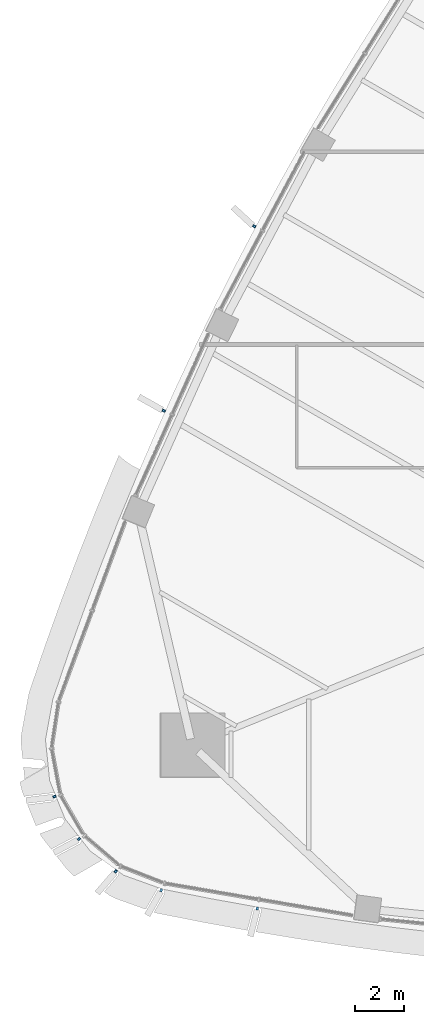
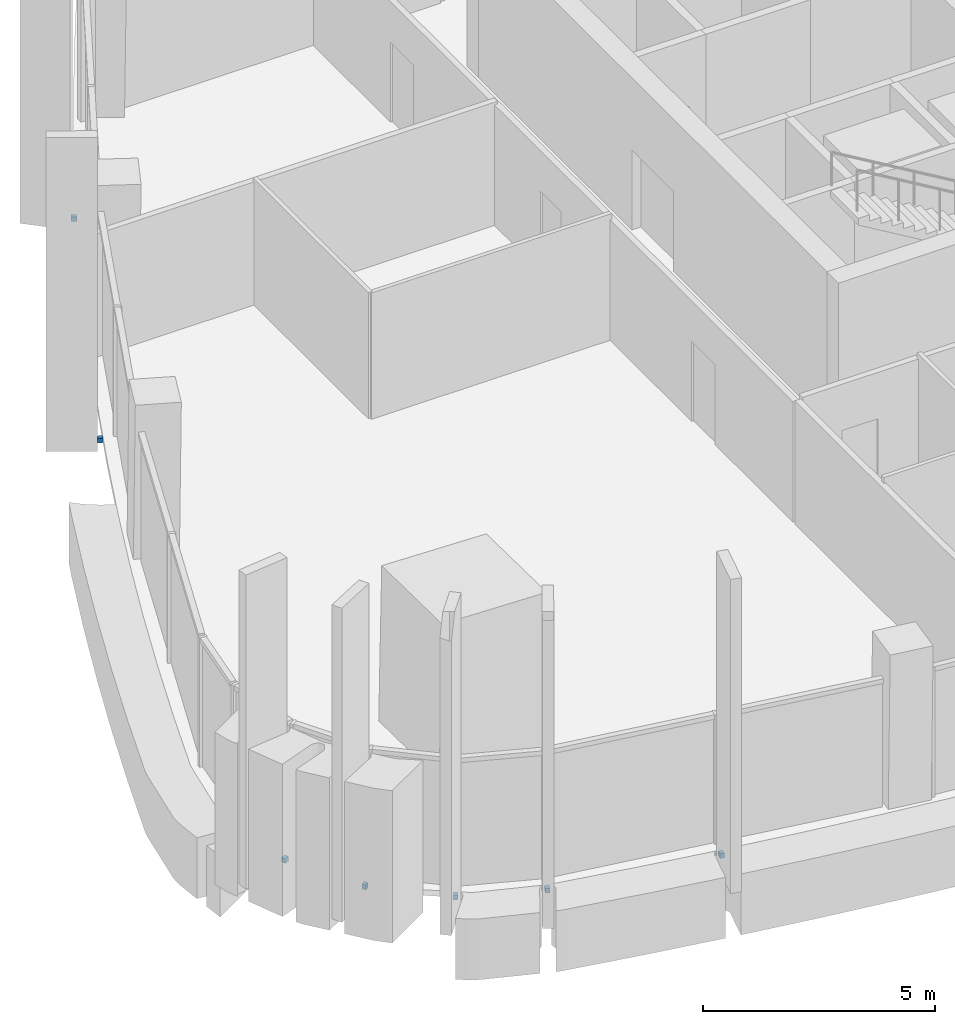
# One storey, part 13 of 19: 7 discrete accessories.
"""IFC4 building model written with IfcOpenShell, lengths in metres."""

from ifc_helpers import new_model, si_unit, direction, frame, origin, origin_2d, place, context, subcontext, project, spatial, rectangle, extrude, material, type_object, element, save


model = new_model("IFC4")

# Units and contexts
model_context = context("Model", 3, precision=1e-05, world=origin(), true_north=direction((0.0, 1.0)))
body_context = subcontext(model_context, "Body", "Model", "MODEL_VIEW")
ifc_project = project(units=[si_unit("LENGTHUNIT", "METRE"), si_unit("AREAUNIT", "SQUARE_METRE"), si_unit("VOLUMEUNIT", "CUBIC_METRE"), si_unit("PLANEANGLEUNIT", "RADIAN"), si_unit("MASSUNIT", "GRAM", prefix="KILO")], contexts=[model_context])

# Site, building, storey
site_placement = place(None, origin())
site = spatial("IfcSite", under=ifc_project, at=site_placement, CompositionType="ELEMENT")
building_placement = place(site_placement, origin())
building = spatial("IfcBuilding", under=site, at=building_placement, Name="Sierra Prisma Convention Tower", CompositionType="ELEMENT")
storey_placement = place(building_placement, frame((0.0, 0.0, 177.800048828125)))
storey = spatial("IfcBuildingStorey", under=building, at=storey_placement, Name="L39", CompositionType="ELEMENT", Elevation=177.800048828125)

# Discrete accessories
ifc_material = material(Name="Stainless steel 316", Category="steel")
discrete_accessory_type = type_object("IfcDiscreteAccessoryType", Name="Fin bracket", PredefinedType="BRACKET", material=ifc_material)
for number, where, z_axis, x_axis, name in (
    (1, (-24.88427734375, -19.51171875, -0.135009765625), (0.0, 0.0, 1.0), (-0.336685163062, -0.941617279458, 0.0), "Fin bracket L39.1 base"),
    (2, (-20.990478515625, -20.253173828125, -0.135009765625), (0.0, 0.0, 1.0), (-0.162935954237, -0.986636647818, 0.0), "Fin bracket L39.2 base"),
    (3, (-21.116455078125, 7.383544921875, -0.135009765625), (0.0, 0.0, 1.0), (-0.884847029451, 0.465881674324, 0.0), "Fin bracket L39.55 base"),
    (4, (-24.779052734375, -0.0849609375, -0.135009765625), (0.0, 0.0, 1.0), (-0.912156076063, 0.409843010068, 0.0), "Fin bracket L39.58 base"),
    (5, (-29.208740234375, -15.717529296875, -0.135009765625), (0.0, 0.0, 1.0), (-0.927608177548, -0.373554639839, 0.0), "Fin bracket L39.64 base"),
    (6, (-28.216064453125, -17.436767578125, -0.135009765625), (0.0, 0.0, 1.0), (-0.787311896577, -0.616554926595, 0.0), "Fin bracket L39.65 base"),
    (7, (-26.72314453125, -18.747314453125, -0.135009765625), (0.0, 0.0, 1.0), (-0.585028829053, -0.811012496314, 0.0), "Fin bracket L39.66 base"),
):
    element("IfcDiscreteAccessory", number, at=place(storey_placement, frame(where, z_axis=z_axis, x_axis=x_axis)), inside=storey, type_object=discrete_accessory_type, Name=name, PredefinedType="BRACKET", context=body_context, shape_type="SweptSolid", body=[
        extrude(rectangle(XDim=0.1201171875, YDim=0.10009765625, at=origin_2d()), origin(), (0.0, 0.0, 1.0), 0.1201171875),
    ])

save(model, "model.ifc")
